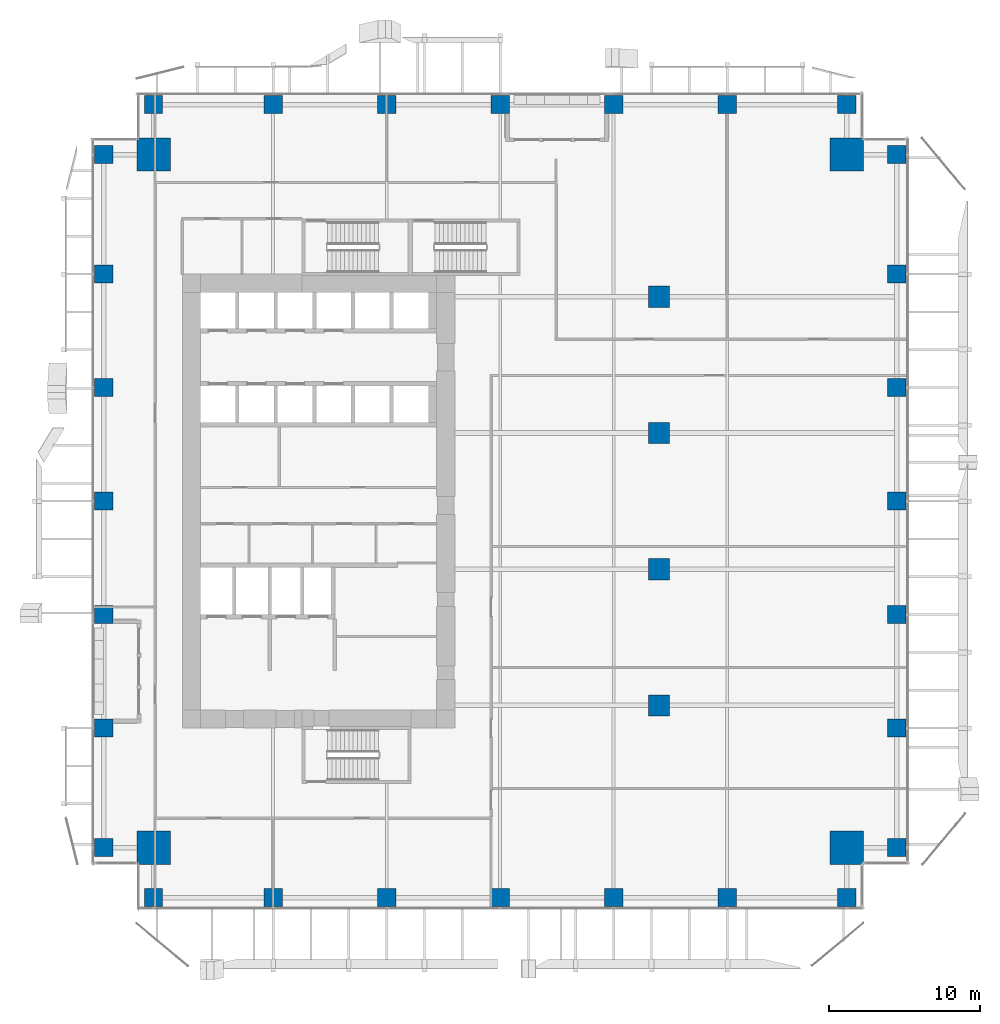
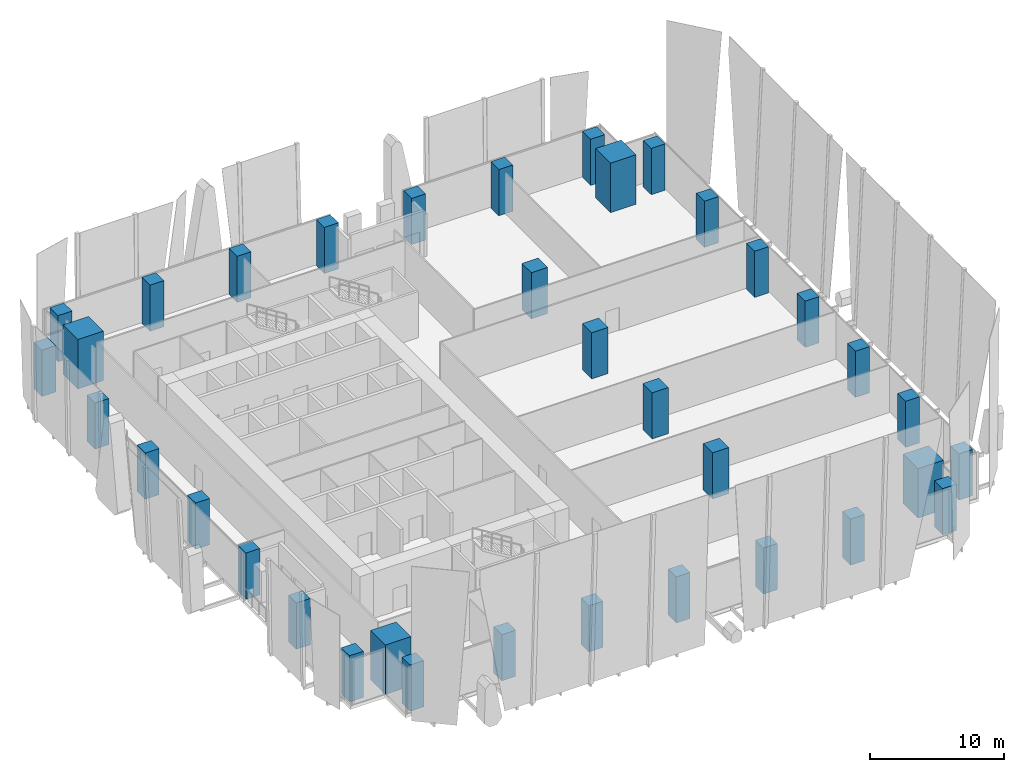
# One storey, part 1 of 35: 36 columns.
"""IFC4 building model written with IfcOpenShell, lengths in metres."""

from ifc_helpers import new_model, si_unit, direction, frame, origin, origin_2d, place, context, subcontext, project, spatial, rectangle, extrude, source, transform, mapped, material, material_profile, profile_set, type_object, element, save


model = new_model("IFC4")

# Units and contexts
model_context = context("Model", 3, precision=1e-05, world=origin(), true_north=direction((0.0, 1.0)))
body_context = subcontext(model_context, "Body", "Model", "MODEL_VIEW")
ifc_project = project(units=[si_unit("LENGTHUNIT", "METRE"), si_unit("AREAUNIT", "SQUARE_METRE"), si_unit("VOLUMEUNIT", "CUBIC_METRE"), si_unit("PLANEANGLEUNIT", "RADIAN"), si_unit("MASSUNIT", "GRAM", prefix="KILO")], contexts=[model_context])

# Site, building, storey
site_placement = place(None, origin())
site = spatial("IfcSite", under=ifc_project, at=site_placement, CompositionType="ELEMENT")
building_placement = place(site_placement, origin())
building = spatial("IfcBuilding", under=site, at=building_placement, Name="Khomas Fold Tower", CompositionType="ELEMENT")
storey_placement = place(building_placement, frame((0.0, 0.0, 87.0)))
storey = spatial("IfcBuildingStorey", under=building, at=storey_placement, Name="L18", CompositionType="ELEMENT", Elevation=87.0)

# Columns
ifc_material_1 = material(Name="Concrete C70/85", Category="concrete")
ifc_material_profile_1 = material_profile(ifc_material_1, rectangle(XDim=2.199951171875, YDim=2.199951171875, at=origin_2d()), Name="RC 2200x2200")
ifc_profile_set_1 = profile_set([ifc_material_profile_1], Name="Concrete C70/85")
column_type_1 = type_object("IfcColumnType", Name="RC 2200x2200 column", PredefinedType="COLUMN", material=ifc_profile_set_1)
shared_shape_1 = source(origin(), body_context, "Body", "SweptSolid", [
    extrude(rectangle(XDim=2.199951171875, YDim=2.199951171875, at=origin_2d()), origin(), (0.0, 0.0, 1.0), 4.5),
])
for number, where, z_axis, x_axis, name in (
    (1, (49.89990234375, 49.89990234375, 0.0), (0.0, 0.0, 1.0), (1.0, 0.0, 0.0), "CM-NE"),
    (2, (4.10009765625, 49.89990234375, 0.0), (0.0, 0.0, 1.0), (1.0, 0.0, 0.0), "CM-NW"),
    (3, (49.89990234375, 4.10009765625, 0.0), (0.0, 0.0, 1.0), (1.0, 0.0, 0.0), "CM-SE"),
    (4, (4.10009765625, 4.10009765625, 0.0), (0.0, 0.0, 1.0), (1.0, 0.0, 0.0), "CM-SW"),
):
    element("IfcColumn", number, at=place(storey_placement, frame(where, z_axis=z_axis, x_axis=x_axis)), inside=storey, type_object=column_type_1, Name=name, PredefinedType="COLUMN", context=body_context, shape_type="MappedRepresentation", body=[
        mapped(shared_shape_1, transform((0.0, 0.0, 0.0))),
    ])
ifc_material_2 = material(Name="Concrete C60/75", Category="concrete")
ifc_material_profile_2 = material_profile(ifc_material_2, rectangle(XDim=1.199951171875, YDim=1.199951171875, at=origin_2d()), Name="RC 1200x1200")
ifc_profile_set_2 = profile_set([ifc_material_profile_2], Name="Concrete C60/75")
column_type_2 = type_object("IfcColumnType", Name="RC 1200x1200 column", PredefinedType="COLUMN", material=ifc_profile_set_2)
shared_shape_2 = source(origin(), body_context, "Body", "SweptSolid", [
    extrude(rectangle(XDim=1.199951171875, YDim=1.199951171875, at=origin_2d()), origin(), (0.0, 0.0, 1.0), 4.199951171875),
])
for number, where, z_axis, x_axis, name in (
    (5, (4.10009765625, 0.800048828125, 0.0), (0.0, 0.0, 1.0), (1.0, 0.0, 0.0), "C-2-SF1"),
    (6, (12.0, 0.800048828125, 0.0), (0.0, 0.0, 1.0), (1.0, 0.0, 0.0), "C-6-SF1"),
    (7, (19.5, 0.800048828125, 0.0), (0.0, 0.0, 1.0), (1.0, 0.0, 0.0), "C-8-SF1"),
    (8, (27.0, 0.800048828125, 0.0), (0.0, 0.0, 1.0), (1.0, 0.0, 0.0), "C-9-SF1"),
    (9, (34.5, 0.800048828125, 0.0), (0.0, 0.0, 1.0), (1.0, 0.0, 0.0), "C-10-SF1"),
    (10, (42.0, 0.800048828125, 0.0), (0.0, 0.0, 1.0), (1.0, 0.0, 0.0), "C-13-SF1"),
    (11, (49.89990234375, 0.800048828125, 0.0), (0.0, 0.0, 1.0), (1.0, 0.0, 0.0), "C-17-SF1"),
    (12, (53.199951171875, 4.10009765625, 0.0), (0.0, 0.0, 1.0), (1.0, 0.0, 0.0), "C-E1-A"),
    (13, (53.199951171875, 12.0, 0.0), (0.0, 0.0, 1.0), (1.0, 0.0, 0.0), "C-E1-F"),
    (14, (53.199951171875, 19.5, 0.0), (0.0, 0.0, 1.0), (1.0, 0.0, 0.0), "C-E1-J"),
    (15, (53.199951171875, 27.0, 0.0), (0.0, 0.0, 1.0), (1.0, 0.0, 0.0), "C-E1-L"),
    (16, (53.199951171875, 34.5, 0.0), (0.0, 0.0, 1.0), (1.0, 0.0, 0.0), "C-E1-N"),
    (17, (53.199951171875, 42.0, 0.0), (0.0, 0.0, 1.0), (1.0, 0.0, 0.0), "C-E1-R"),
    (18, (53.199951171875, 49.89990234375, 0.0), (0.0, 0.0, 1.0), (1.0, 0.0, 0.0), "C-E1-W"),
    (19, (4.10009765625, 53.199951171875, 0.0), (0.0, 0.0, 1.0), (1.0, 0.0, 0.0), "C-2-NF1"),
    (20, (12.0, 53.199951171875, 0.0), (0.0, 0.0, 1.0), (1.0, 0.0, 0.0), "C-6-NF1"),
    (21, (19.5, 53.199951171875, 0.0), (0.0, 0.0, 1.0), (1.0, 0.0, 0.0), "C-8-NF1"),
    (22, (27.0, 53.199951171875, 0.0), (0.0, 0.0, 1.0), (1.0, 0.0, 0.0), "C-9-NF1"),
    (23, (34.5, 53.199951171875, 0.0), (0.0, 0.0, 1.0), (1.0, 0.0, 0.0), "C-10-NF1"),
    (24, (42.0, 53.199951171875, 0.0), (0.0, 0.0, 1.0), (1.0, 0.0, 0.0), "C-13-NF1"),
    (25, (49.89990234375, 53.199951171875, 0.0), (0.0, 0.0, 1.0), (1.0, 0.0, 0.0), "C-17-NF1"),
    (26, (0.800048828125, 4.10009765625, 0.0), (0.0, 0.0, 1.0), (1.0, 0.0, 0.0), "C-W1-A"),
    (27, (0.800048828125, 12.0, 0.0), (0.0, 0.0, 1.0), (1.0, 0.0, 0.0), "C-W1-F"),
    (28, (0.800048828125, 19.5, 0.0), (0.0, 0.0, 1.0), (1.0, 0.0, 0.0), "C-W1-J"),
    (29, (0.800048828125, 27.0, 0.0), (0.0, 0.0, 1.0), (1.0, 0.0, 0.0), "C-W1-L"),
    (30, (0.800048828125, 34.5, 0.0), (0.0, 0.0, 1.0), (1.0, 0.0, 0.0), "C-W1-N"),
    (31, (0.800048828125, 42.0, 0.0), (0.0, 0.0, 1.0), (1.0, 0.0, 0.0), "C-W1-R"),
    (32, (0.800048828125, 49.89990234375, 0.0), (0.0, 0.0, 1.0), (1.0, 0.0, 0.0), "C-W1-W"),
):
    element("IfcColumn", number, at=place(storey_placement, frame(where, z_axis=z_axis, x_axis=x_axis)), inside=storey, type_object=column_type_2, Name=name, PredefinedType="COLUMN", context=body_context, shape_type="MappedRepresentation", body=[
        mapped(shared_shape_2, transform((0.0, 0.0, 0.0))),
    ])
ifc_material_3 = material(Name="Concrete C60/75", Category="concrete")
ifc_material_profile_3 = material_profile(ifc_material_3, rectangle(XDim=1.39990234375, YDim=1.39990234375, at=origin_2d()), Name="RC 1400x1400")
ifc_profile_set_3 = profile_set([ifc_material_profile_3], Name="Concrete C60/75")
column_type_3 = type_object("IfcColumnType", Name="RC 1400x1400 column", PredefinedType="COLUMN", material=ifc_profile_set_3)
shared_shape_3 = source(origin(), body_context, "Body", "SweptSolid", [
    extrude(rectangle(XDim=1.39990234375, YDim=1.39990234375, at=origin_2d()), origin(), (0.0, 0.0, 1.0), 4.199951171875),
])
for number, where, z_axis, x_axis, name in (
    (33, (37.5, 13.5, 0.0), (0.0, 0.0, 1.0), (1.0, 0.0, 0.0), "C-11-H"),
    (34, (37.5, 22.5, 0.0), (0.0, 0.0, 1.0), (1.0, 0.0, 0.0), "C-11-K"),
    (35, (37.5, 31.5, 0.0), (0.0, 0.0, 1.0), (1.0, 0.0, 0.0), "C-11-M"),
    (36, (37.5, 40.5, 0.0), (0.0, 0.0, 1.0), (1.0, 0.0, 0.0), "C-11-P"),
):
    element("IfcColumn", number, at=place(storey_placement, frame(where, z_axis=z_axis, x_axis=x_axis)), inside=storey, type_object=column_type_3, Name=name, PredefinedType="COLUMN", context=body_context, shape_type="MappedRepresentation", body=[
        mapped(shared_shape_3, transform((0.0, 0.0, 0.0))),
    ])

save(model, "model.ifc")
